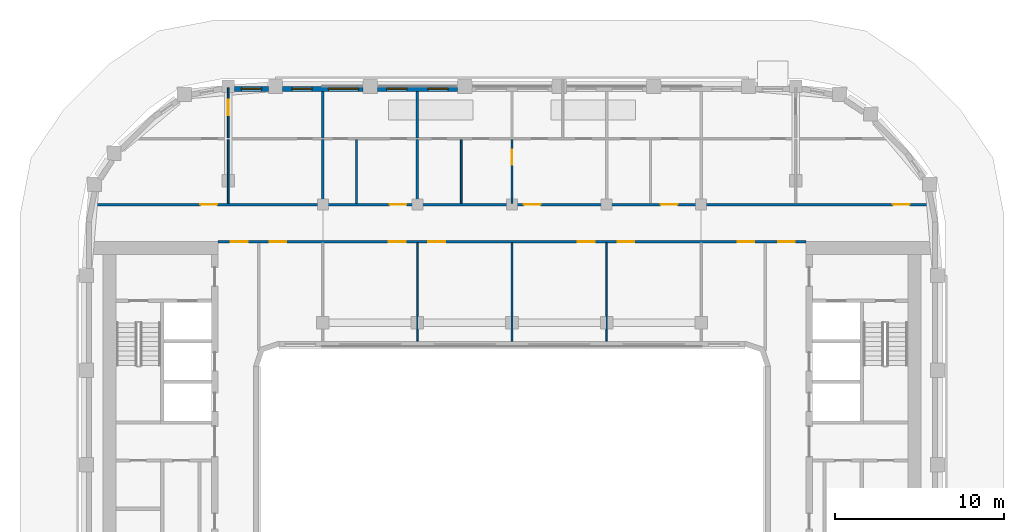
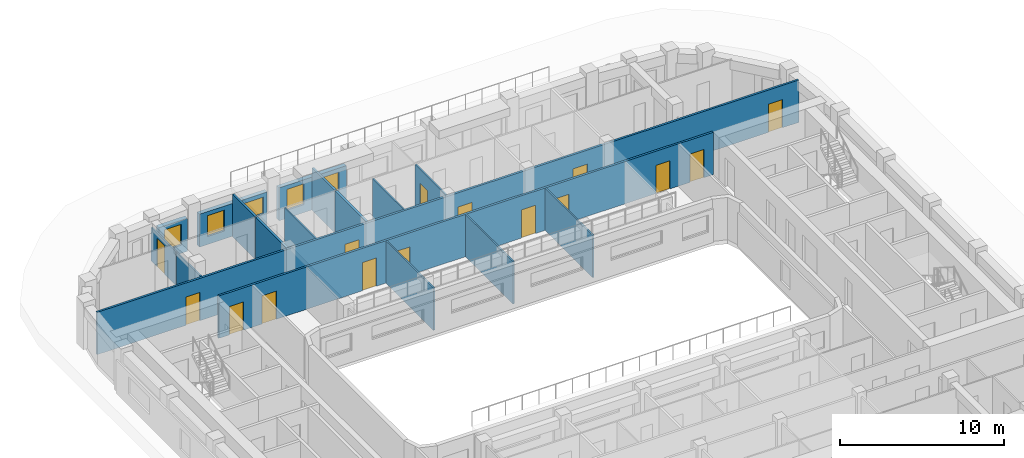
# One storey, part 7 of 16: 17 walls, 15 doors, 5 windows, 20 openings.
"""IFC4 building model written with IfcOpenShell, lengths in metres."""

import ifcopenshell
import ifcopenshell.guid

model = None  # the IFC model being written
_history = None  # IfcOwnerHistory: only IFC2X3 demands one
_inside = {}  # id of a spatial element -> (the spatial element, [elements in it])
_under = {}  # id of a project, library or spatial element -> (it, [spatial elements below it])
_declared = {}  # id of a project -> (the project, [libraries it declares])
_typed = {}  # id of a type object -> (the type object, [elements of that type])
_made_of = {}  # id of a material, layer set ... -> (it, [elements and type objects made of it])


def new_model(schema):
    """Start an empty IFC model of exactly this schema.

    Asked for "IFC4X3", IfcOpenShell would pick the latest addendum, in which some entities
    have other attributes; the version numbers below select the first issue.
    IFC2X3 requires an IfcOwnerHistory on every rooted entity: one is made here for all.
    """
    global model, _history
    if schema == "IFC4X3":
        model = ifcopenshell.file(schema_version=(4, 3, 0, 0))
    else:
        model = ifcopenshell.file(schema=schema)
    _inside.clear()
    _under.clear()
    _declared.clear()
    _typed.clear()
    _made_of.clear()
    _history = None
    if model.schema == "IFC2X3":
        org = make("IfcOrganization", Name="unknown")
        user = make(
            "IfcPersonAndOrganization",
            ThePerson=make("IfcPerson", FamilyName="unknown"),
            TheOrganization=org,
        )
        app = make(
            "IfcApplication",
            ApplicationDeveloper=org,
            Version="unknown",
            ApplicationFullName="unknown",
            ApplicationIdentifier="unknown",
        )
        _history = make(
            "IfcOwnerHistory",
            OwningUser=user,
            OwningApplication=app,
            ChangeAction="ADDED",
            CreationDate=0,
        )
    return model


def make(cls, **values):
    """One entity of the class cls with the attributes given. An attribute that is None is left unset."""
    return model.create_entity(
        cls, **{name: value for name, value in values.items() if value is not None}
    )


def rooted(cls, **values):
    """An entity with a GlobalId (a new one), such as an element, a storey or a relation."""
    return make(cls, GlobalId=ifcopenshell.guid.new(), OwnerHistory=_history, **values)


def si_unit(unit_type, name, prefix=None):
    """IfcSIUnit, for example si_unit("LENGTHUNIT", "METRE", prefix="MILLI")."""
    return make("IfcSIUnit", UnitType=unit_type, Prefix=prefix, Name=name)


def assignment(units):
    """IfcUnitAssignment: the units of a project."""
    return None if units is None else make("IfcUnitAssignment", Units=units)


def point(xyz):
    """IfcCartesianPoint."""
    return None if xyz is None else make("IfcCartesianPoint", Coordinates=xyz)


def direction(xyz):
    """IfcDirection."""
    return None if xyz is None else make("IfcDirection", DirectionRatios=xyz)


def frame(location, z_axis=None, x_axis=None):
    """IfcAxis2Placement3D, a coordinate frame: its origin and axes. An axis left out is left unset."""
    return make(
        "IfcAxis2Placement3D",
        Location=point(location),
        Axis=direction(z_axis),
        RefDirection=direction(x_axis),
    )


def frame_2d(location, x_axis=None):
    """IfcAxis2Placement2D, a coordinate frame in the plane: its origin and x axis."""
    return make(
        "IfcAxis2Placement2D", Location=point(location), RefDirection=direction(x_axis)
    )


def origin():
    """The frame at (0, 0, 0) with its axes left unset."""
    return frame((0.0, 0.0, 0.0))


def place(relative_to, where):
    """IfcLocalPlacement: puts the frame where relative to a parent placement (None: the world)."""
    return make(
        "IfcLocalPlacement", PlacementRelTo=relative_to, RelativePlacement=where
    )


def context(
    kind, dimensions, precision=None, world=None, true_north=None, identifier=None
):
    """IfcGeometricRepresentationContext, for example the 3D "Model" context."""
    return make(
        "IfcGeometricRepresentationContext",
        ContextIdentifier=identifier,
        ContextType=kind,
        CoordinateSpaceDimension=dimensions,
        Precision=precision,
        WorldCoordinateSystem=world,
        TrueNorth=true_north,
    )


def subcontext(parent, identifier, kind, view, scale=None):
    """IfcGeometricRepresentationSubContext, for example "Body" below "Model"."""
    return make(
        "IfcGeometricRepresentationSubContext",
        ContextIdentifier=identifier,
        ContextType=kind,
        ParentContext=parent,
        TargetScale=scale,
        TargetView=view,
    )


def project(units=None, contexts=None):
    """IfcProject with its units and contexts."""
    return rooted(
        "IfcProject",
        Name="project",
        RepresentationContexts=contexts,
        UnitsInContext=assignment(units),
    )


def spatial(cls, under=None, at=None, **own):
    """A site, building, storey or space (cls), placed at a placement, below another one or the project."""
    s = rooted(cls, ObjectPlacement=at, **own)
    if under is not None:
        _under.setdefault(under.id(), (under, []))[1].append(s)
    return s


def profile(cls, at=None, kind="AREA", **sizes):
    """A parametric profile (cls). Its sizes go by their IFC names, for example OverallWidth=200.0."""
    return make(cls, ProfileType=kind, Position=at, **sizes)


def rectangle(**sizes):
    """IfcRectangleProfileDef."""
    return profile("IfcRectangleProfileDef", **sizes)


def extrude(swept, where, along, depth):
    """IfcExtrudedAreaSolid: the profile swept, set in the frame where, extruded along a direction by depth."""
    return make(
        "IfcExtrudedAreaSolid",
        SweptArea=swept,
        Position=where,
        ExtrudedDirection=direction(along),
        Depth=depth,
    )


def shape(context_of_items, identifier, shape_type, items):
    """IfcShapeRepresentation: the items that make up one representation, for example the "Body"."""
    return make(
        "IfcShapeRepresentation",
        ContextOfItems=context_of_items,
        RepresentationIdentifier=identifier,
        RepresentationType=shape_type,
        Items=items,
    )


def material(Name=None, Category=None):
    """IfcMaterial."""
    return make("IfcMaterial", Name=Name, Category=Category)


def layer(
    of_material, thickness, ventilated=None, Name=None, Category=None, Priority=None
):
    """IfcMaterialLayer: one layer of a wall or slab, of a material (None: an air gap)."""
    return make(
        "IfcMaterialLayer",
        Material=of_material,
        LayerThickness=thickness,
        IsVentilated=ventilated,
        Name=Name,
        Category=Category,
        Priority=Priority,
    )


def layer_set(layers, Name=None):
    """IfcMaterialLayerSet."""
    return make("IfcMaterialLayerSet", MaterialLayers=layers, LayerSetName=Name)


def made_of(thing, what):
    """Note that an element or type object is made of a material, layer set ...; save() writes the relation."""
    if what is not None:
        _made_of.setdefault(what.id(), (what, []))[1].append(thing)
    return thing


def type_object(cls, material=None, **own):
    """A type object (cls), such as IfcWallType, which elements share."""
    return made_of(rooted(cls, **own), material)


def element(
    cls,
    number,
    at=None,
    inside=None,
    cuts=None,
    type_object=None,
    material=None,
    context=None,
    identifier="Body",
    shape_type=None,
    held_by="IfcProductDefinitionShape",
    body=None,
    shapes=None,
    **own,
):
    """One element of the class cls, such as IfcWall. Its Tag is "e" and its number.

    at: its placement. inside: the storey or other place that contains it. cuts: it is an
    opening in that element (IfcRelVoidsElement). A single representation is given by context,
    identifier, shape_type and body (its items); several are given by shapes. held_by: the class
    of the entity that holds the representations. save() writes the other relations.
    """
    e = rooted(cls, Tag="e%d" % number, ObjectPlacement=at, **own)
    if body is not None:
        shapes = [shape(context, identifier, shape_type, body)]
    if shapes is not None:
        e.Representation = make(held_by, Representations=shapes)
    if inside is not None:
        _inside.setdefault(inside.id(), (inside, []))[1].append(e)
    if cuts is not None:
        rooted(
            "IfcRelVoidsElement", RelatingBuildingElement=cuts, RelatedOpeningElement=e
        )
    if type_object is not None:
        _typed.setdefault(type_object.id(), (type_object, []))[1].append(e)
    return made_of(e, material)


def fill(opening, filler):
    """IfcRelFillsElement: the door or window that sits in an opening."""
    return rooted(
        "IfcRelFillsElement",
        RelatingOpeningElement=opening,
        RelatedBuildingElement=filler,
    )


def aggregate(whole, parts):
    """IfcRelAggregates: a whole, such as a stair, and the parts it consists of."""
    return rooted("IfcRelAggregates", RelatingObject=whole, RelatedObjects=parts)


def save(model, path):
    """Write the relations noted so far, then the file.

    IfcRelAggregates (storeys below a building ...), IfcRelContainedInSpatialStructure (elements
    in a storey), IfcRelDefinesByType, IfcRelAssociatesMaterial and IfcRelDeclares: one each for
    every whole, place, type object, material and project.
    """
    for whole, parts in _under.values():
        aggregate(whole, parts)
    for where, things in _inside.values():
        rooted(
            "IfcRelContainedInSpatialStructure",
            RelatedElements=things,
            RelatingStructure=where,
        )
    for kind, things in _typed.values():
        rooted("IfcRelDefinesByType", RelatedObjects=things, RelatingType=kind)
    for what, things in _made_of.values():
        rooted("IfcRelAssociatesMaterial", RelatedObjects=things, RelatingMaterial=what)
    for by, libraries in _declared.values():
        rooted("IfcRelDeclares", RelatingContext=by, RelatedDefinitions=libraries)
    model.write(path)


model = new_model("IFC4")

# Units and contexts
model_context = context("Model", 3, precision=1e-05, world=origin(), true_north=direction((0.0, 1.0)))
body_context = subcontext(model_context, "Body", "Model", "MODEL_VIEW")
ifc_project = project(units=[si_unit("LENGTHUNIT", "METRE"), si_unit("AREAUNIT", "SQUARE_METRE"), si_unit("VOLUMEUNIT", "CUBIC_METRE"), si_unit("PLANEANGLEUNIT", "RADIAN"), si_unit("MASSUNIT", "GRAM", prefix="KILO")], contexts=[model_context])

# Site, building, storey
site_placement = place(None, origin())
site = spatial("IfcSite", under=ifc_project, at=site_placement, CompositionType="ELEMENT")
building_placement = place(site_placement, origin())
building = spatial("IfcBuilding", under=site, at=building_placement, Name="Kiln Ring Residences", CompositionType="ELEMENT")
storey_placement = place(building_placement, frame((0.0, 0.0, 227.39990234375)))
storey = spatial("IfcBuildingStorey", under=building, at=storey_placement, Name="L59", CompositionType="ELEMENT", Elevation=227.39990234375)

# Wall, openings, windows
ifc_material_1 = material(Name="Brick masonry, dark clay brick", Category="masonry")
ifc_layer_1 = layer(ifc_material_1, 0.300048828125)
ifc_layer_set_1 = layer_set([ifc_layer_1], Name="EW-300 BRICK WALL")
wall_type_1 = type_object("IfcWallType", Name="EW-300 BRICK WALL", PredefinedType="SOLIDWALL", material=ifc_layer_set_1)
wall_1_placement = place(storey_placement, frame((-3.22509765625, 22.25, 0.0), z_axis=(0.0, 0.0, 1.0), x_axis=(-1.0, 0.0, 0.0)))
wall_1 = element("IfcWall", 1, at=wall_1_placement, inside=storey, type_object=wall_type_1, Name="Facade wall L59 31", PredefinedType="SOLIDWALL", context=body_context, shape_type="SweptSolid", body=[
    extrude(rectangle(XDim=4.75, YDim=0.300048828125, at=frame_2d((2.375, 0.0))), origin(), (0.0, 0.0, 1.0), 2.4501953125),
])
opening_1_placement = place(wall_1_placement, frame((0.550048828125, 0.0, 0.60009765625)))
opening_1 = element("IfcOpeningElement", 2, at=opening_1_placement, cuts=wall_1, Name="Opening W1", PredefinedType="OPENING", context=body_context, shape_type="SweptSolid", body=[
    extrude(rectangle(XDim=1.199951171875, YDim=1.550048828125, at=frame_2d((0.60009765625, 0.77490234375))), frame((0.0, 0.159912109375, 0.0), z_axis=(0.0, -1.0, 0.0), x_axis=(1.0, 0.0, 0.0)), (0.0, 0.0, 1.0), 0.320068359375),
])
opening_2_placement = place(wall_1_placement, frame((3.0, 0.0, 0.60009765625)))
opening_2 = element("IfcOpeningElement", 3, at=opening_2_placement, cuts=wall_1, Name="Opening W1", PredefinedType="OPENING", context=body_context, shape_type="SweptSolid", body=[
    extrude(rectangle(XDim=1.199951171875, YDim=1.550048828125, at=frame_2d((0.60009765625, 0.77490234375))), frame((0.0, 0.159912109375, 0.0), z_axis=(0.0, -1.0, 0.0), x_axis=(1.0, 0.0, 0.0)), (0.0, 0.0, 1.0), 0.320068359375),
])
ifc_material_2 = material(Name="Aluminium frame with double glazing", Category="aluminium")
window_type_1 = type_object("IfcWindowType", Name="WINDOW 1200 x 1550", PartitioningType="SINGLE_PANEL", PredefinedType="WINDOW", material=ifc_material_2)
window_1_placement = place(opening_1_placement, origin())
window_1 = element("IfcWindow", 4, at=window_1_placement, inside=storey, type_object=window_type_1, Name="Window L59 27", OverallHeight=1.550048828125, OverallWidth=1.199951171875, PartitioningType="SINGLE_PANEL", PredefinedType="WINDOW", context=body_context, shape_type="SweptSolid", body=[
    extrude(rectangle(XDim=1.199951171875, YDim=1.550048828125, at=frame_2d((0.60009765625, 0.77490234375))), frame((0.0, 0.030029296875, 0.0), z_axis=(0.0, -1.0, 0.0), x_axis=(1.0, 0.0, 0.0)), (0.0, 0.0, 1.0), 0.06005859375),
])
fill(opening_1, window_1)
window_2_placement = place(opening_2_placement, origin())
window_2 = element("IfcWindow", 5, at=window_2_placement, inside=storey, type_object=window_type_1, Name="Window L59 28", OverallHeight=1.550048828125, OverallWidth=1.199951171875, PartitioningType="SINGLE_PANEL", PredefinedType="WINDOW", context=body_context, shape_type="SweptSolid", body=[
    extrude(rectangle(XDim=1.199951171875, YDim=1.550048828125, at=frame_2d((0.60009765625, 0.77490234375))), frame((0.0, 0.030029296875, 0.0), z_axis=(0.0, -1.0, 0.0), x_axis=(1.0, 0.0, 0.0)), (0.0, 0.0, 1.0), 0.06005859375),
])
fill(opening_2, window_2)

wall_2_placement = place(storey_placement, frame((-8.824951171875, 22.25, 0.0), z_axis=(0.0, 0.0, 1.0), x_axis=(-1.0, 0.0, 0.0)))
wall_2 = element("IfcWall", 6, at=wall_2_placement, inside=storey, type_object=wall_type_1, Name="Facade wall L59 32", PredefinedType="SOLIDWALL", context=body_context, shape_type="SweptSolid", body=[
    extrude(rectangle(XDim=4.75, YDim=0.300048828125, at=frame_2d((2.375, 0.0))), origin(), (0.0, 0.0, 1.0), 2.4501953125),
])
opening_3_placement = place(wall_2_placement, frame((0.25, 0.0, 0.89990234375)))
opening_3 = element("IfcOpeningElement", 7, at=opening_3_placement, cuts=wall_2, Name="Opening W2", PredefinedType="OPENING", context=body_context, shape_type="SweptSolid", body=[
    extrude(rectangle(XDim=1.800048828125, YDim=1.25, at=frame_2d((0.89990234375, 0.625))), frame((0.0, 0.159912109375, 0.0), z_axis=(0.0, -1.0, 0.0), x_axis=(1.0, 0.0, 0.0)), (0.0, 0.0, 1.0), 0.320068359375),
])
opening_4_placement = place(wall_2_placement, frame((3.0, 0.0, 0.60009765625)))
opening_4 = element("IfcOpeningElement", 8, at=opening_4_placement, cuts=wall_2, Name="Opening W1", PredefinedType="OPENING", context=body_context, shape_type="SweptSolid", body=[
    extrude(rectangle(XDim=1.199951171875, YDim=1.550048828125, at=frame_2d((0.60009765625, 0.77490234375))), frame((0.0, 0.159912109375, 0.0), z_axis=(0.0, -1.0, 0.0), x_axis=(1.0, 0.0, 0.0)), (0.0, 0.0, 1.0), 0.320068359375),
])
window_3_placement = place(opening_4_placement, origin())
window_3 = element("IfcWindow", 9, at=window_3_placement, inside=storey, type_object=window_type_1, Name="Window L59 30", OverallHeight=1.550048828125, OverallWidth=1.199951171875, PartitioningType="SINGLE_PANEL", PredefinedType="WINDOW", context=body_context, shape_type="SweptSolid", body=[
    extrude(rectangle(XDim=1.199951171875, YDim=1.550048828125, at=frame_2d((0.60009765625, 0.77490234375))), frame((0.0, 0.030029296875, 0.0), z_axis=(0.0, -1.0, 0.0), x_axis=(1.0, 0.0, 0.0)), (0.0, 0.0, 1.0), 0.06005859375),
])
fill(opening_4, window_3)
ifc_material_3 = material(Name="Aluminium frame with double glazing", Category="aluminium")
window_type_2 = type_object("IfcWindowType", Name="WINDOW 1800 x 1250", PartitioningType="SINGLE_PANEL", PredefinedType="WINDOW", material=ifc_material_3)
window_4_placement = place(opening_3_placement, origin())
window_4 = element("IfcWindow", 10, at=window_4_placement, inside=storey, type_object=window_type_2, Name="Window L59 29", OverallHeight=1.25, OverallWidth=1.800048828125, PartitioningType="SINGLE_PANEL", PredefinedType="WINDOW", context=body_context, shape_type="SweptSolid", body=[
    extrude(rectangle(XDim=1.800048828125, YDim=1.25, at=frame_2d((0.89990234375, 0.625))), frame((0.0, 0.030029296875, 0.0), z_axis=(0.0, -1.0, 0.0), x_axis=(1.0, 0.0, 0.0)), (0.0, 0.0, 1.0), 0.06005859375),
])
fill(opening_3, window_4)

# Wall, opening, window
wall_3_placement = place(storey_placement, frame((-14.425048828125, 22.25, 0.0), z_axis=(0.0, 0.0, 1.0), x_axis=(-1.0, 0.0, 0.0)))
wall_3 = element("IfcWall", 11, at=wall_3_placement, inside=storey, type_object=wall_type_1, Name="Facade wall L59 33", PredefinedType="SOLIDWALL", context=body_context, shape_type="SweptSolid", body=[
    extrude(rectangle(XDim=2.0, YDim=0.300048828125, at=frame_2d((1.0, 0.0))), origin(), (0.0, 0.0, 1.0), 2.4501953125),
])
opening_5_placement = place(wall_3_placement, frame((0.39990234375, 0.0, 0.60009765625)))
opening_5 = element("IfcOpeningElement", 12, at=opening_5_placement, cuts=wall_3, Name="Opening W1", PredefinedType="OPENING", context=body_context, shape_type="SweptSolid", body=[
    extrude(rectangle(XDim=1.199951171875, YDim=1.550048828125, at=frame_2d((0.60009765625, 0.77490234375))), frame((0.0, 0.159912109375, 0.0), z_axis=(0.0, -1.0, 0.0), x_axis=(1.0, 0.0, 0.0)), (0.0, 0.0, 1.0), 0.320068359375),
])
window_5_placement = place(opening_5_placement, origin())
window_5 = element("IfcWindow", 13, at=window_5_placement, inside=storey, type_object=window_type_1, Name="Window L59 31", OverallHeight=1.550048828125, OverallWidth=1.199951171875, PartitioningType="SINGLE_PANEL", PredefinedType="WINDOW", context=body_context, shape_type="SweptSolid", body=[
    extrude(rectangle(XDim=1.199951171875, YDim=1.550048828125, at=frame_2d((0.60009765625, 0.77490234375))), frame((0.0, 0.030029296875, 0.0), z_axis=(0.0, -1.0, 0.0), x_axis=(1.0, 0.0, 0.0)), (0.0, 0.0, 1.0), 0.06005859375),
])
fill(opening_5, window_5)

# Wall
ifc_material_4 = material(Name="Gypsum board on steel studs", Category="steel")
ifc_layer_2 = layer(ifc_material_4, 0.10009765625)
ifc_layer_set_2 = layer_set([ifc_layer_2], Name="PARTITION-100")
wall_type_2 = type_object("IfcWallType", Name="PARTITION-100", PredefinedType="PARTITIONING", material=ifc_layer_set_2)
wall_4_placement = place(storey_placement, frame((-16.800048828125, 15.47509765625, 0.0), z_axis=(0.0, 0.0, 1.0), x_axis=(0.0, 1.0, 0.0)))
element("IfcWall", 14, at=wall_4_placement, inside=storey, type_object=wall_type_2, Name="Partition 009", PredefinedType="PARTITIONING", context=body_context, shape_type="SweptSolid", body=[
    extrude(rectangle(XDim=3.77490234375, YDim=0.10009765625, at=frame_2d((1.887451171875, 0.0))), origin(), (0.0, 0.0, 1.0), 2.5),
])

# Wall, opening, door
wall_5_placement = place(storey_placement, frame((-16.800048828125, 19.35009765625, 0.0), z_axis=(0.0, 0.0, 1.0), x_axis=(0.0, 1.0, 0.0)))
wall_5 = element("IfcWall", 15, at=wall_5_placement, inside=storey, type_object=wall_type_2, Name="Partition 010", PredefinedType="PARTITIONING", context=body_context, shape_type="SweptSolid", body=[
    extrude(rectangle(XDim=2.9599609375, YDim=0.10009765625, at=frame_2d((1.47998046875, 0.0))), origin(), (0.0, 0.0, 1.0), 2.5),
])
opening_6_placement = place(wall_5_placement, frame((1.35009765625, 0.0, 0.0)))
opening_6 = element("IfcOpeningElement", 16, at=opening_6_placement, cuts=wall_5, Name="Opening L59-D014", PredefinedType="OPENING", context=body_context, shape_type="SweptSolid", body=[
    extrude(rectangle(XDim=0.89990234375, YDim=2.10009765625, at=frame_2d((0.449951171875, 1.050048828125))), frame((0.0, 0.06005859375, 0.0), z_axis=(0.0, -1.0, 0.0), x_axis=(1.0, 0.0, 0.0)), (0.0, 0.0, 1.0), 0.1201171875),
])
ifc_material_5 = material(Name="Timber door leaf", Category="wood")
door_type_1 = type_object("IfcDoorType", Name="FLAT-DOOR-900-PL", OperationType="SINGLE_SWING_LEFT", PredefinedType="DOOR", material=ifc_material_5)
door_1_placement = place(opening_6_placement, origin())
door_1 = element("IfcDoor", 17, at=door_1_placement, inside=storey, type_object=door_type_1, Name="Door L59-D014", OperationType="SINGLE_SWING_RIGHT", OverallHeight=2.10009765625, OverallWidth=0.89990234375, PredefinedType="DOOR", context=body_context, shape_type="SweptSolid", body=[
    extrude(rectangle(XDim=0.89990234375, YDim=2.10009765625, at=frame_2d((0.449951171875, 1.050048828125))), frame((0.0, 0.02490234375, 0.0), z_axis=(0.0, -1.0, 0.0), x_axis=(1.0, 0.0, 0.0)), (0.0, 0.0, 1.0), 0.050048828125),
])
fill(opening_6, door_1)

# Walls
wall_6_placement = place(storey_placement, frame((-9.199951171875, 15.47509765625, 0.0), z_axis=(0.0, 0.0, 1.0), x_axis=(0.0, 1.0, 0.0)))
element("IfcWall", 18, at=wall_6_placement, inside=storey, type_object=wall_type_2, Name="Partition 023", PredefinedType="PARTITIONING", context=body_context, shape_type="SweptSolid", body=[
    extrude(rectangle(XDim=3.77490234375, YDim=0.10009765625, at=frame_2d((1.887451171875, 0.0))), origin(), (0.0, 0.0, 1.0), 3.150146484375),
])
wall_7_placement = place(storey_placement, frame((-5.60009765625, 7.320068359375, 0.0), z_axis=(0.0, 0.0, 1.0), x_axis=(0.0, 1.0, 0.0)))
element("IfcWall", 19, at=wall_7_placement, inside=storey, type_object=wall_type_2, Name="Partition 025", PredefinedType="PARTITIONING", context=body_context, shape_type="SweptSolid", body=[
    extrude(rectangle(XDim=5.804931640625, YDim=0.10009765625, at=frame_2d((2.90234375, 0.0))), origin(), (0.0, 0.0, 1.0), 3.150146484375),
])
wall_8_placement = place(storey_placement, frame((-3.0, 15.47509765625, 0.0), z_axis=(0.0, 0.0, 1.0), x_axis=(0.0, 1.0, 0.0)))
element("IfcWall", 20, at=wall_8_placement, inside=storey, type_object=wall_type_2, Name="Partition 034", PredefinedType="PARTITIONING", context=body_context, shape_type="SweptSolid", body=[
    extrude(rectangle(XDim=3.77490234375, YDim=0.10009765625, at=frame_2d((1.887451171875, 0.0))), origin(), (0.0, 0.0, 1.0), 3.150146484375),
])
wall_9_placement = place(storey_placement, frame((0.0, 7.320068359375, 0.0), z_axis=(0.0, 0.0, 1.0), x_axis=(0.0, 1.0, 0.0)))
element("IfcWall", 21, at=wall_9_placement, inside=storey, type_object=wall_type_2, Name="Partition 035", PredefinedType="PARTITIONING", context=body_context, shape_type="SweptSolid", body=[
    extrude(rectangle(XDim=5.804931640625, YDim=0.10009765625, at=frame_2d((2.90234375, 0.0))), origin(), (0.0, 0.0, 1.0), 3.150146484375),
])

# Wall, opening, door
wall_10_placement = place(storey_placement, frame((0.0, 15.47509765625, 0.0), z_axis=(0.0, 0.0, 1.0), x_axis=(0.0, 1.0, 0.0)))
wall_10 = element("IfcWall", 22, at=wall_10_placement, inside=storey, type_object=wall_type_2, Name="Partition 036", PredefinedType="PARTITIONING", context=body_context, shape_type="SweptSolid", body=[
    extrude(rectangle(XDim=3.77490234375, YDim=0.10009765625, at=frame_2d((1.887451171875, 0.0))), origin(), (0.0, 0.0, 1.0), 3.150146484375),
])
opening_7_placement = place(wall_10_placement, frame((2.27490234375, 0.0, 0.0)))
opening_7 = element("IfcOpeningElement", 23, at=opening_7_placement, cuts=wall_10, Name="Opening L59-D019", PredefinedType="OPENING", context=body_context, shape_type="SweptSolid", body=[
    extrude(rectangle(XDim=0.89990234375, YDim=2.10009765625, at=frame_2d((0.449951171875, 1.050048828125))), frame((0.0, 0.06005859375, 0.0), z_axis=(0.0, -1.0, 0.0), x_axis=(1.0, 0.0, 0.0)), (0.0, 0.0, 1.0), 0.1201171875),
])
door_2_placement = place(opening_7_placement, origin())
door_2 = element("IfcDoor", 24, at=door_2_placement, inside=storey, type_object=door_type_1, Name="Door L59-D019", OperationType="SINGLE_SWING_LEFT", OverallHeight=2.10009765625, OverallWidth=0.89990234375, PredefinedType="DOOR", context=body_context, shape_type="SweptSolid", body=[
    extrude(rectangle(XDim=0.89990234375, YDim=2.10009765625, at=frame_2d((0.449951171875, 1.050048828125))), frame((0.0, 0.02490234375, 0.0), z_axis=(0.0, -1.0, 0.0), x_axis=(1.0, 0.0, 0.0)), (0.0, 0.0, 1.0), 0.050048828125),
])
fill(opening_7, door_2)

# Wall
wall_11_placement = place(storey_placement, frame((5.60009765625, 7.320068359375, 0.0), z_axis=(0.0, 0.0, 1.0), x_axis=(0.0, 1.0, 0.0)))
element("IfcWall", 25, at=wall_11_placement, inside=storey, type_object=wall_type_2, Name="Partition 046", PredefinedType="PARTITIONING", context=body_context, shape_type="SweptSolid", body=[
    extrude(rectangle(XDim=5.804931640625, YDim=0.10009765625, at=frame_2d((2.90234375, 0.0))), origin(), (0.0, 0.0, 1.0), 3.150146484375),
])

# Wall, openings, doors
ifc_material_6 = material(Name="Brick masonry partition", Category="masonry")
ifc_layer_3 = layer(ifc_material_6, 0.14990234375)
ifc_layer_set_3 = layer_set([ifc_layer_3], Name="PARTITION-150-ei60")
wall_type_3 = type_object("IfcWallType", Name="PARTITION-150-ei60", PredefinedType="PARTITIONING", material=ifc_layer_set_3)
wall_12_placement = place(storey_placement, frame((-17.39990234375, 13.199951171875, 0.0), z_axis=(0.0, 0.0, 1.0), x_axis=(1.0, 0.0, 0.0)))
wall_12 = element("IfcWall", 26, at=wall_12_placement, inside=storey, type_object=wall_type_3, Name="Partition 004", PredefinedType="PARTITIONING", context=body_context, shape_type="SweptSolid", body=[
    extrude(rectangle(XDim=34.7998046875, YDim=0.14990234375, at=frame_2d((17.39990234375, 0.0))), origin(), (0.0, 0.0, 1.0), 3.150146484375),
])
opening_8_placement = place(wall_12_placement, frame((0.75, 0.0, 0.0)))
opening_8 = element("IfcOpeningElement", 27, at=opening_8_placement, cuts=wall_12, Name="Opening L59-D001", PredefinedType="OPENING", context=body_context, shape_type="SweptSolid", body=[
    extrude(rectangle(XDim=1.0, YDim=2.10009765625, at=frame_2d((0.5, 1.050048828125))), frame((0.0, 0.0849609375, 0.0), z_axis=(0.0, -1.0, 0.0), x_axis=(1.0, 0.0, 0.0)), (0.0, 0.0, 1.0), 0.169921875),
])
opening_9_placement = place(wall_12_placement, frame((33.14990234375, 0.0, 0.0)))
opening_9 = element("IfcOpeningElement", 28, at=opening_9_placement, cuts=wall_12, Name="Opening L59-D002", PredefinedType="OPENING", context=body_context, shape_type="SweptSolid", body=[
    extrude(rectangle(XDim=1.0, YDim=2.10009765625, at=frame_2d((0.5, 1.050048828125))), frame((0.0, 0.0849609375, 0.0), z_axis=(0.0, -1.0, 0.0), x_axis=(1.0, 0.0, 0.0)), (0.0, 0.0, 1.0), 0.169921875),
])
opening_10_placement = place(wall_12_placement, frame((3.050048828125, 0.0, 0.0)))
opening_10 = element("IfcOpeningElement", 29, at=opening_10_placement, cuts=wall_12, Name="Opening L59-D005", PredefinedType="OPENING", context=body_context, shape_type="SweptSolid", body=[
    extrude(rectangle(XDim=1.0, YDim=2.10009765625, at=frame_2d((0.5, 1.050048828125))), frame((0.0, 0.0849609375, 0.0), z_axis=(0.0, -1.0, 0.0), x_axis=(1.0, 0.0, 0.0)), (0.0, 0.0, 1.0), 0.169921875),
])
opening_11_placement = place(wall_12_placement, frame((10.10009765625, 0.0, 0.0)))
opening_11 = element("IfcOpeningElement", 30, at=opening_11_placement, cuts=wall_12, Name="Opening L59-D006", PredefinedType="OPENING", context=body_context, shape_type="SweptSolid", body=[
    extrude(rectangle(XDim=1.0, YDim=2.10009765625, at=frame_2d((0.5, 1.050048828125))), frame((0.0, 0.0849609375, 0.0), z_axis=(0.0, -1.0, 0.0), x_axis=(1.0, 0.0, 0.0)), (0.0, 0.0, 1.0), 0.169921875),
])
opening_12_placement = place(wall_12_placement, frame((12.449951171875, 0.0, 0.0)))
opening_12 = element("IfcOpeningElement", 31, at=opening_12_placement, cuts=wall_12, Name="Opening L59-D007", PredefinedType="OPENING", context=body_context, shape_type="SweptSolid", body=[
    extrude(rectangle(XDim=1.0, YDim=2.10009765625, at=frame_2d((0.5, 1.050048828125))), frame((0.0, 0.0849609375, 0.0), z_axis=(0.0, -1.0, 0.0), x_axis=(1.0, 0.0, 0.0)), (0.0, 0.0, 1.0), 0.169921875),
])
opening_13_placement = place(wall_12_placement, frame((21.300048828125, 0.0, 0.0)))
opening_13 = element("IfcOpeningElement", 32, at=opening_13_placement, cuts=wall_12, Name="Opening L59-D008", PredefinedType="OPENING", context=body_context, shape_type="SweptSolid", body=[
    extrude(rectangle(XDim=1.0, YDim=2.10009765625, at=frame_2d((0.5, 1.050048828125))), frame((0.0, 0.0849609375, 0.0), z_axis=(0.0, -1.0, 0.0), x_axis=(1.0, 0.0, 0.0)), (0.0, 0.0, 1.0), 0.169921875),
])
opening_14_placement = place(wall_12_placement, frame((23.64990234375, 0.0, 0.0)))
opening_14 = element("IfcOpeningElement", 33, at=opening_14_placement, cuts=wall_12, Name="Opening L59-D009", PredefinedType="OPENING", context=body_context, shape_type="SweptSolid", body=[
    extrude(rectangle(XDim=1.0, YDim=2.10009765625, at=frame_2d((0.5, 1.050048828125))), frame((0.0, 0.0849609375, 0.0), z_axis=(0.0, -1.0, 0.0), x_axis=(1.0, 0.0, 0.0)), (0.0, 0.0, 1.0), 0.169921875),
])
opening_15_placement = place(wall_12_placement, frame((30.75, 0.0, 0.0)))
opening_15 = element("IfcOpeningElement", 34, at=opening_15_placement, cuts=wall_12, Name="Opening L59-D010", PredefinedType="OPENING", context=body_context, shape_type="SweptSolid", body=[
    extrude(rectangle(XDim=1.0, YDim=2.10009765625, at=frame_2d((0.5, 1.050048828125))), frame((0.0, 0.0849609375, 0.0), z_axis=(0.0, -1.0, 0.0), x_axis=(1.0, 0.0, 0.0)), (0.0, 0.0, 1.0), 0.169921875),
])
ifc_material_7 = material(Name="Steel faced fire door leaf", Category="steel")
door_type_2 = type_object("IfcDoorType", Name="FLAT-DOOR-1000-FR", OperationType="SINGLE_SWING_LEFT", PredefinedType="DOOR", material=ifc_material_7)
door_3_placement = place(opening_8_placement, origin())
door_3 = element("IfcDoor", 35, at=door_3_placement, inside=storey, type_object=door_type_2, Name="Door L59-D001", OperationType="SINGLE_SWING_RIGHT", OverallHeight=2.10009765625, OverallWidth=1.0, PredefinedType="DOOR", context=body_context, shape_type="SweptSolid", body=[
    extrude(rectangle(XDim=1.0, YDim=2.10009765625, at=frame_2d((0.5, 1.050048828125))), frame((0.0, 0.02490234375, 0.0), z_axis=(0.0, -1.0, 0.0), x_axis=(1.0, 0.0, 0.0)), (0.0, 0.0, 1.0), 0.050048828125),
])
fill(opening_8, door_3)
door_4_placement = place(opening_9_placement, origin())
door_4 = element("IfcDoor", 36, at=door_4_placement, inside=storey, type_object=door_type_2, Name="Door L59-D002", OperationType="SINGLE_SWING_LEFT", OverallHeight=2.10009765625, OverallWidth=1.0, PredefinedType="DOOR", context=body_context, shape_type="SweptSolid", body=[
    extrude(rectangle(XDim=1.0, YDim=2.10009765625, at=frame_2d((0.5, 1.050048828125))), frame((0.0, 0.02490234375, 0.0), z_axis=(0.0, -1.0, 0.0), x_axis=(1.0, 0.0, 0.0)), (0.0, 0.0, 1.0), 0.050048828125),
])
fill(opening_9, door_4)
door_5_placement = place(opening_10_placement, origin())
door_5 = element("IfcDoor", 37, at=door_5_placement, inside=storey, type_object=door_type_2, Name="Door L59-D005", OperationType="SINGLE_SWING_LEFT", OverallHeight=2.10009765625, OverallWidth=1.0, PredefinedType="DOOR", context=body_context, shape_type="SweptSolid", body=[
    extrude(rectangle(XDim=1.0, YDim=2.10009765625, at=frame_2d((0.5, 1.050048828125))), frame((0.0, 0.02490234375, 0.0), z_axis=(0.0, -1.0, 0.0), x_axis=(1.0, 0.0, 0.0)), (0.0, 0.0, 1.0), 0.050048828125),
])
fill(opening_10, door_5)
door_6_placement = place(opening_11_placement, origin())
door_6 = element("IfcDoor", 38, at=door_6_placement, inside=storey, type_object=door_type_2, Name="Door L59-D006", OperationType="SINGLE_SWING_RIGHT", OverallHeight=2.10009765625, OverallWidth=1.0, PredefinedType="DOOR", context=body_context, shape_type="SweptSolid", body=[
    extrude(rectangle(XDim=1.0, YDim=2.10009765625, at=frame_2d((0.5, 1.050048828125))), frame((0.0, 0.02490234375, 0.0), z_axis=(0.0, -1.0, 0.0), x_axis=(1.0, 0.0, 0.0)), (0.0, 0.0, 1.0), 0.050048828125),
])
fill(opening_11, door_6)
door_7_placement = place(opening_12_placement, origin())
door_7 = element("IfcDoor", 39, at=door_7_placement, inside=storey, type_object=door_type_2, Name="Door L59-D007", OperationType="SINGLE_SWING_LEFT", OverallHeight=2.10009765625, OverallWidth=1.0, PredefinedType="DOOR", context=body_context, shape_type="SweptSolid", body=[
    extrude(rectangle(XDim=1.0, YDim=2.10009765625, at=frame_2d((0.5, 1.050048828125))), frame((0.0, 0.02490234375, 0.0), z_axis=(0.0, -1.0, 0.0), x_axis=(1.0, 0.0, 0.0)), (0.0, 0.0, 1.0), 0.050048828125),
])
fill(opening_12, door_7)
door_8_placement = place(opening_13_placement, origin())
door_8 = element("IfcDoor", 40, at=door_8_placement, inside=storey, type_object=door_type_2, Name="Door L59-D008", OperationType="SINGLE_SWING_RIGHT", OverallHeight=2.10009765625, OverallWidth=1.0, PredefinedType="DOOR", context=body_context, shape_type="SweptSolid", body=[
    extrude(rectangle(XDim=1.0, YDim=2.10009765625, at=frame_2d((0.5, 1.050048828125))), frame((0.0, 0.02490234375, 0.0), z_axis=(0.0, -1.0, 0.0), x_axis=(1.0, 0.0, 0.0)), (0.0, 0.0, 1.0), 0.050048828125),
])
fill(opening_13, door_8)
door_9_placement = place(opening_14_placement, origin())
door_9 = element("IfcDoor", 41, at=door_9_placement, inside=storey, type_object=door_type_2, Name="Door L59-D009", OperationType="SINGLE_SWING_LEFT", OverallHeight=2.10009765625, OverallWidth=1.0, PredefinedType="DOOR", context=body_context, shape_type="SweptSolid", body=[
    extrude(rectangle(XDim=1.0, YDim=2.10009765625, at=frame_2d((0.5, 1.050048828125))), frame((0.0, 0.02490234375, 0.0), z_axis=(0.0, -1.0, 0.0), x_axis=(1.0, 0.0, 0.0)), (0.0, 0.0, 1.0), 0.050048828125),
])
fill(opening_14, door_9)
door_10_placement = place(opening_15_placement, origin())
door_10 = element("IfcDoor", 42, at=door_10_placement, inside=storey, type_object=door_type_2, Name="Door L59-D010", OperationType="SINGLE_SWING_RIGHT", OverallHeight=2.10009765625, OverallWidth=1.0, PredefinedType="DOOR", context=body_context, shape_type="SweptSolid", body=[
    extrude(rectangle(XDim=1.0, YDim=2.10009765625, at=frame_2d((0.5, 1.050048828125))), frame((0.0, 0.02490234375, 0.0), z_axis=(0.0, -1.0, 0.0), x_axis=(1.0, 0.0, 0.0)), (0.0, 0.0, 1.0), 0.050048828125),
])
fill(opening_15, door_10)

wall_13_placement = place(storey_placement, frame((-24.683837890625, 15.39990234375, 0.0), z_axis=(0.0, 0.0, 1.0), x_axis=(1.0, 0.0, 0.0)))
wall_13 = element("IfcWall", 43, at=wall_13_placement, inside=storey, type_object=wall_type_3, Name="Partition 005", PredefinedType="PARTITIONING", context=body_context, shape_type="SweptSolid", body=[
    extrude(rectangle(XDim=49.36767578125, YDim=0.14990234375, at=frame_2d((24.683837890625, 0.0))), origin(), (0.0, 0.0, 1.0), 3.150146484375),
])
opening_16_placement = place(wall_13_placement, frame((6.23388671875, 0.0, 0.0)))
opening_16 = element("IfcOpeningElement", 44, at=opening_16_placement, cuts=wall_13, Name="Opening L59-D011", PredefinedType="OPENING", context=body_context, shape_type="SweptSolid", body=[
    extrude(rectangle(XDim=1.0, YDim=2.10009765625, at=frame_2d((0.5, 1.050048828125))), frame((0.0, 0.0849609375, 0.0), z_axis=(0.0, -1.0, 0.0), x_axis=(1.0, 0.0, 0.0)), (0.0, 0.0, 1.0), 0.169921875),
])
opening_17_placement = place(wall_13_placement, frame((17.433837890625, 0.0, 0.0)))
opening_17 = element("IfcOpeningElement", 45, at=opening_17_placement, cuts=wall_13, Name="Opening L59-D015", PredefinedType="OPENING", context=body_context, shape_type="SweptSolid", body=[
    extrude(rectangle(XDim=1.0, YDim=2.10009765625, at=frame_2d((0.5, 1.050048828125))), frame((0.0, 0.0849609375, 0.0), z_axis=(0.0, -1.0, 0.0), x_axis=(1.0, 0.0, 0.0)), (0.0, 0.0, 1.0), 0.169921875),
])
opening_18_placement = place(wall_13_placement, frame((25.3837890625, 0.0, 0.0)))
opening_18 = element("IfcOpeningElement", 46, at=opening_18_placement, cuts=wall_13, Name="Opening L59-D018", PredefinedType="OPENING", context=body_context, shape_type="SweptSolid", body=[
    extrude(rectangle(XDim=1.0, YDim=2.10009765625, at=frame_2d((0.5, 1.050048828125))), frame((0.0, 0.0849609375, 0.0), z_axis=(0.0, -1.0, 0.0), x_axis=(1.0, 0.0, 0.0)), (0.0, 0.0, 1.0), 0.169921875),
])
opening_19_placement = place(wall_13_placement, frame((33.48388671875, 0.0, 0.0)))
opening_19 = element("IfcOpeningElement", 47, at=opening_19_placement, cuts=wall_13, Name="Opening L59-D024", PredefinedType="OPENING", context=body_context, shape_type="SweptSolid", body=[
    extrude(rectangle(XDim=1.0, YDim=2.10009765625, at=frame_2d((0.5, 1.050048828125))), frame((0.0, 0.0849609375, 0.0), z_axis=(0.0, -1.0, 0.0), x_axis=(1.0, 0.0, 0.0)), (0.0, 0.0, 1.0), 0.169921875),
])
opening_20_placement = place(wall_13_placement, frame((47.224853515625, 0.0, 0.0)))
opening_20 = element("IfcOpeningElement", 48, at=opening_20_placement, cuts=wall_13, Name="Opening L59-D027", PredefinedType="OPENING", context=body_context, shape_type="SweptSolid", body=[
    extrude(rectangle(XDim=1.0, YDim=2.10009765625, at=frame_2d((0.5, 1.050048828125))), frame((0.0, 0.0849609375, 0.0), z_axis=(0.0, -1.0, 0.0), x_axis=(1.0, 0.0, 0.0)), (0.0, 0.0, 1.0), 0.169921875),
])
door_11_placement = place(opening_16_placement, origin())
door_11 = element("IfcDoor", 49, at=door_11_placement, inside=storey, type_object=door_type_2, Name="Door L59-D011", OperationType="SINGLE_SWING_LEFT", OverallHeight=2.10009765625, OverallWidth=1.0, PredefinedType="DOOR", context=body_context, shape_type="SweptSolid", body=[
    extrude(rectangle(XDim=1.0, YDim=2.10009765625, at=frame_2d((0.5, 1.050048828125))), frame((0.0, 0.02490234375, 0.0), z_axis=(0.0, -1.0, 0.0), x_axis=(1.0, 0.0, 0.0)), (0.0, 0.0, 1.0), 0.050048828125),
])
fill(opening_16, door_11)
door_12_placement = place(opening_17_placement, origin())
door_12 = element("IfcDoor", 50, at=door_12_placement, inside=storey, type_object=door_type_2, Name="Door L59-D015", OperationType="SINGLE_SWING_LEFT", OverallHeight=2.10009765625, OverallWidth=1.0, PredefinedType="DOOR", context=body_context, shape_type="SweptSolid", body=[
    extrude(rectangle(XDim=1.0, YDim=2.10009765625, at=frame_2d((0.5, 1.050048828125))), frame((0.0, 0.02490234375, 0.0), z_axis=(0.0, -1.0, 0.0), x_axis=(1.0, 0.0, 0.0)), (0.0, 0.0, 1.0), 0.050048828125),
])
fill(opening_17, door_12)
door_13_placement = place(opening_18_placement, origin())
door_13 = element("IfcDoor", 51, at=door_13_placement, inside=storey, type_object=door_type_2, Name="Door L59-D018", OperationType="SINGLE_SWING_RIGHT", OverallHeight=2.10009765625, OverallWidth=1.0, PredefinedType="DOOR", context=body_context, shape_type="SweptSolid", body=[
    extrude(rectangle(XDim=1.0, YDim=2.10009765625, at=frame_2d((0.5, 1.050048828125))), frame((0.0, 0.02490234375, 0.0), z_axis=(0.0, -1.0, 0.0), x_axis=(1.0, 0.0, 0.0)), (0.0, 0.0, 1.0), 0.050048828125),
])
fill(opening_18, door_13)
door_14_placement = place(opening_19_placement, origin())
door_14 = element("IfcDoor", 52, at=door_14_placement, inside=storey, type_object=door_type_2, Name="Door L59-D024", OperationType="SINGLE_SWING_RIGHT", OverallHeight=2.10009765625, OverallWidth=1.0, PredefinedType="DOOR", context=body_context, shape_type="SweptSolid", body=[
    extrude(rectangle(XDim=1.0, YDim=2.10009765625, at=frame_2d((0.5, 1.050048828125))), frame((0.0, 0.02490234375, 0.0), z_axis=(0.0, -1.0, 0.0), x_axis=(1.0, 0.0, 0.0)), (0.0, 0.0, 1.0), 0.050048828125),
])
fill(opening_19, door_14)
door_15_placement = place(opening_20_placement, origin())
door_15 = element("IfcDoor", 53, at=door_15_placement, inside=storey, type_object=door_type_2, Name="Door L59-D027", OperationType="SINGLE_SWING_LEFT", OverallHeight=2.10009765625, OverallWidth=1.0, PredefinedType="DOOR", context=body_context, shape_type="SweptSolid", body=[
    extrude(rectangle(XDim=1.0, YDim=2.10009765625, at=frame_2d((0.5, 1.050048828125))), frame((0.0, 0.02490234375, 0.0), z_axis=(0.0, -1.0, 0.0), x_axis=(1.0, 0.0, 0.0)), (0.0, 0.0, 1.0), 0.050048828125),
])
fill(opening_20, door_15)

# Walls
wall_14_placement = place(storey_placement, frame((-11.199951171875, 15.47509765625, 0.0), z_axis=(0.0, 0.0, 1.0), x_axis=(0.0, 1.0, 0.0)))
element("IfcWall", 54, at=wall_14_placement, inside=storey, type_object=wall_type_3, Name="Partition 021", PredefinedType="PARTITIONING", context=body_context, shape_type="SweptSolid", body=[
    extrude(rectangle(XDim=3.77490234375, YDim=0.14990234375, at=frame_2d((1.887451171875, 0.0))), origin(), (0.0, 0.0, 1.0), 3.150146484375),
])
wall_15_placement = place(storey_placement, frame((-11.199951171875, 19.35009765625, 0.0), z_axis=(0.0, 0.0, 1.0), x_axis=(0.0, 1.0, 0.0)))
element("IfcWall", 55, at=wall_15_placement, inside=storey, type_object=wall_type_3, Name="Partition 022", PredefinedType="PARTITIONING", context=body_context, shape_type="SweptSolid", body=[
    extrude(rectangle(XDim=2.72998046875, YDim=0.14990234375, at=frame_2d((1.364990234375, 0.0))), origin(), (0.0, 0.0, 1.0), 3.150146484375),
])
wall_16_placement = place(storey_placement, frame((-5.60009765625, 15.47509765625, 0.0), z_axis=(0.0, 0.0, 1.0), x_axis=(0.0, 1.0, 0.0)))
element("IfcWall", 56, at=wall_16_placement, inside=storey, type_object=wall_type_3, Name="Partition 030", PredefinedType="PARTITIONING", context=body_context, shape_type="SweptSolid", body=[
    extrude(rectangle(XDim=3.77490234375, YDim=0.14990234375, at=frame_2d((1.887451171875, 0.0))), origin(), (0.0, 0.0, 1.0), 3.150146484375),
])
wall_17_placement = place(storey_placement, frame((-5.60009765625, 19.35009765625, 0.0), z_axis=(0.0, 0.0, 1.0), x_axis=(0.0, 1.0, 0.0)))
element("IfcWall", 57, at=wall_17_placement, inside=storey, type_object=wall_type_3, Name="Partition 031", PredefinedType="PARTITIONING", context=body_context, shape_type="SweptSolid", body=[
    extrude(rectangle(XDim=2.72998046875, YDim=0.14990234375, at=frame_2d((1.364990234375, 0.0))), origin(), (0.0, 0.0, 1.0), 3.150146484375),
])

save(model, "model.ifc")
